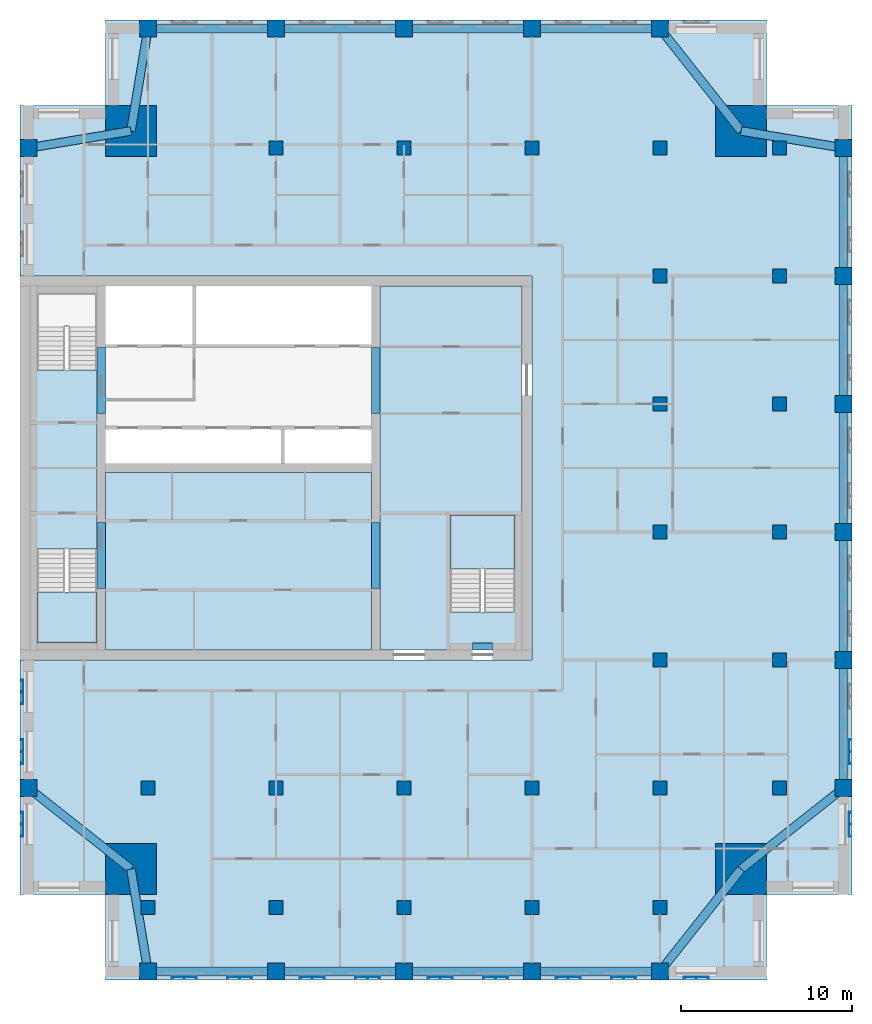
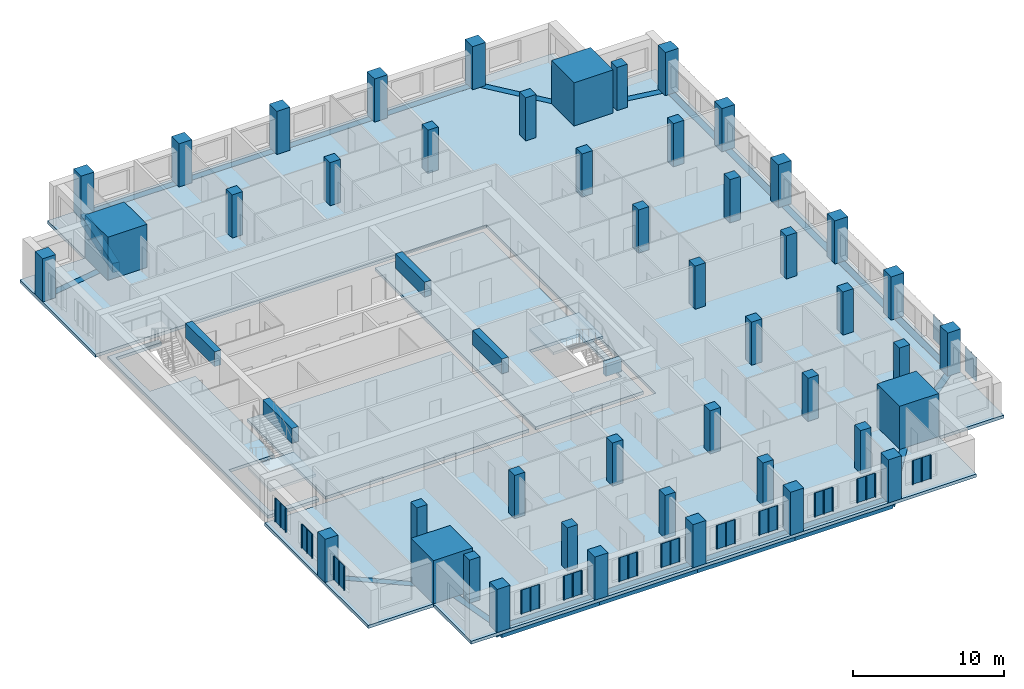
# One storey, part 1 of 11: 46 columns, 26 beams, 14 plates, 6 slabs, 2 elements without a shape of their own.
"""IFC4 building model written with IfcOpenShell, lengths in metres."""

from ifc_helpers import new_model, si_unit, direction, frame, origin, origin_2d, place, context, subcontext, project, spatial, polyline, rectangle, outline, extrude, material, layer, layer_set, material_profile, profile_set, type_object, element, aggregate, save


model = new_model("IFC4")

# Units and contexts
model_context = context("Model", 3, precision=1e-05, world=origin(), true_north=direction((0.0, 1.0)))
body_context = subcontext(model_context, "Body", "Model", "MODEL_VIEW")
ifc_project = project(units=[si_unit("LENGTHUNIT", "METRE"), si_unit("AREAUNIT", "SQUARE_METRE"), si_unit("VOLUMEUNIT", "CUBIC_METRE"), si_unit("PLANEANGLEUNIT", "RADIAN"), si_unit("MASSUNIT", "GRAM", prefix="KILO")], contexts=[model_context])

# Site, building, storey
site_placement = place(None, origin())
site = spatial("IfcSite", under=ifc_project, at=site_placement, CompositionType="ELEMENT")
building_placement = place(site_placement, origin())
building = spatial("IfcBuilding", under=site, at=building_placement, Name="Tamorin Gate", CompositionType="ELEMENT")
storey_placement = place(building_placement, frame((0.0, 0.0, 247.699951171875)))
storey = spatial("IfcBuildingStorey", under=building, at=storey_placement, Name="L62", CompositionType="ELEMENT", Elevation=247.699951171875)

# Columns
ifc_material_1 = material(Name="Concrete C50/60", Category="concrete")
ifc_material_profile_1 = material_profile(ifc_material_1, rectangle(XDim=1.0, YDim=1.0, at=origin_2d()), Name="RC 1000x1000")
ifc_profile_set_1 = profile_set([ifc_material_profile_1], Name="Concrete C50/60")
column_type_1 = type_object("IfcColumnType", Name="RC column 1000x1000 C50/60", PredefinedType="COLUMN", material=ifc_profile_set_1)
for number, where, z_axis, x_axis, name in (
    (1, (37.5, 41.75, 0.0), (0.0, 0.0, 1.0), (1.0, 0.0, 0.0), "Ring column L62"),
    (2, (45.0, 41.75, 0.0), (0.0, 0.0, 1.0), (1.0, 0.0, 0.0), "Ring column L62"),
    (3, (52.5, 41.75, 0.0), (0.0, 0.0, 1.0), (1.0, 0.0, 0.0), "Ring column L62"),
    (4, (60.0, 41.75, 0.0), (0.0, 0.0, 1.0), (1.0, 0.0, 0.0), "Ring column L62"),
    (5, (67.5, 41.75, 0.0), (0.0, 0.0, 1.0), (1.0, 0.0, 0.0), "Ring column L62"),
    (6, (78.25, 52.5, 0.0), (0.0, 0.0, 1.0), (1.0, 0.0, 0.0), "Ring column L62"),
    (7, (78.25, 60.0, 0.0), (0.0, 0.0, 1.0), (1.0, 0.0, 0.0), "Ring column L62"),
    (8, (78.25, 67.5, 0.0), (0.0, 0.0, 1.0), (1.0, 0.0, 0.0), "Ring column L62"),
    (9, (78.25, 75.0, 0.0), (0.0, 0.0, 1.0), (1.0, 0.0, 0.0), "Ring column L62"),
    (10, (78.25, 82.5, 0.0), (0.0, 0.0, 1.0), (1.0, 0.0, 0.0), "Ring column L62"),
    (11, (78.25, 90.0, 0.0), (0.0, 0.0, 1.0), (1.0, 0.0, 0.0), "Ring column L62"),
    (12, (30.5, 52.5, 0.0), (0.0, 0.0, 1.0), (1.0, 0.0, 0.0), "Ring column L62"),
    (13, (30.5, 90.0, 0.0), (0.0, 0.0, 1.0), (1.0, 0.0, 0.0), "Ring column L62"),
    (14, (37.5, 97.0, 0.0), (0.0, 0.0, 1.0), (1.0, 0.0, 0.0), "Ring column L62"),
    (15, (45.0, 97.0, 0.0), (0.0, 0.0, 1.0), (1.0, 0.0, 0.0), "Ring column L62"),
    (16, (52.5, 97.0, 0.0), (0.0, 0.0, 1.0), (1.0, 0.0, 0.0), "Ring column L62"),
    (17, (60.0, 97.0, 0.0), (0.0, 0.0, 1.0), (1.0, 0.0, 0.0), "Ring column L62"),
    (18, (67.5, 97.0, 0.0), (0.0, 0.0, 1.0), (1.0, 0.0, 0.0), "Ring column L62"),
):
    element("IfcColumn", number, at=place(storey_placement, frame(where, z_axis=z_axis, x_axis=x_axis)), inside=storey, type_object=column_type_1, Name=name, PredefinedType="COLUMN", context=body_context, shape_type="SweptSolid", body=[
        extrude(rectangle(XDim=1.0, YDim=1.0, at=origin_2d()), origin(), (0.0, 0.0, 1.0), 3.5),
    ])
ifc_material_profile_2 = material_profile(ifc_material_1, rectangle(XDim=3.0, YDim=3.0, at=origin_2d()), Name="RC 3000x3000")
ifc_profile_set_2 = profile_set([ifc_material_profile_2], Name="Concrete C50/60")
column_type_2 = type_object("IfcColumnType", Name="RC column 3000x3000 C50/60", PredefinedType="COLUMN", material=ifc_profile_set_2)
for number, where, z_axis, x_axis, name in (
    (19, (36.5, 47.75, 0.0), (0.0, 0.0, 1.0), (1.0, 0.0, 0.0), "Mega column SW L62"),
    (20, (72.25, 47.75, 0.0), (0.0, 0.0, 1.0), (1.0, 0.0, 0.0), "Mega column SE L62"),
    (21, (36.5, 91.0, 0.0), (0.0, 0.0, 1.0), (1.0, 0.0, 0.0), "Mega column NW L62"),
    (22, (72.25, 91.0, 0.0), (0.0, 0.0, 1.0), (1.0, 0.0, 0.0), "Mega column NE L62"),
):
    element("IfcColumn", number, at=place(storey_placement, frame(where, z_axis=z_axis, x_axis=x_axis)), inside=storey, type_object=column_type_2, Name=name, PredefinedType="COLUMN", context=body_context, shape_type="SweptSolid", body=[
        extrude(rectangle(XDim=3.0, YDim=3.0, at=origin_2d()), origin(), (0.0, 0.0, 1.0), 3.5),
    ])
ifc_material_profile_3 = material_profile(ifc_material_1, rectangle(XDim=0.800048828125, YDim=0.800048828125, at=origin_2d()), Name="RC 800x800")
ifc_profile_set_3 = profile_set([ifc_material_profile_3], Name="Concrete C50/60")
column_type_3 = type_object("IfcColumnType", Name="RC column 800x800 C50/60", PredefinedType="COLUMN", material=ifc_profile_set_3)
for number, where, z_axis, x_axis, name in (
    (23, (37.5, 45.5, 0.0), (0.0, 0.0, 1.0), (1.0, 0.0, 0.0), "Interior column L62"),
    (24, (37.5, 52.5, 0.0), (0.0, 0.0, 1.0), (1.0, 0.0, 0.0), "Interior column L62"),
    (25, (45.0, 45.5, 0.0), (0.0, 0.0, 1.0), (1.0, 0.0, 0.0), "Interior column L62"),
    (26, (45.0, 52.5, 0.0), (0.0, 0.0, 1.0), (1.0, 0.0, 0.0), "Interior column L62"),
    (27, (45.0, 90.0, 0.0), (0.0, 0.0, 1.0), (1.0, 0.0, 0.0), "Interior column L62"),
    (28, (52.5, 45.5, 0.0), (0.0, 0.0, 1.0), (1.0, 0.0, 0.0), "Interior column L62"),
    (29, (52.5, 52.5, 0.0), (0.0, 0.0, 1.0), (1.0, 0.0, 0.0), "Interior column L62"),
    (30, (52.5, 90.0, 0.0), (0.0, 0.0, 1.0), (1.0, 0.0, 0.0), "Interior column L62"),
    (31, (60.0, 45.5, 0.0), (0.0, 0.0, 1.0), (1.0, 0.0, 0.0), "Interior column L62"),
    (32, (60.0, 52.5, 0.0), (0.0, 0.0, 1.0), (1.0, 0.0, 0.0), "Interior column L62"),
    (33, (60.0, 90.0, 0.0), (0.0, 0.0, 1.0), (1.0, 0.0, 0.0), "Interior column L62"),
    (34, (67.5, 45.5, 0.0), (0.0, 0.0, 1.0), (1.0, 0.0, 0.0), "Interior column L62"),
    (35, (67.5, 52.5, 0.0), (0.0, 0.0, 1.0), (1.0, 0.0, 0.0), "Interior column L62"),
    (36, (67.5, 60.0, 0.0), (0.0, 0.0, 1.0), (1.0, 0.0, 0.0), "Interior column L62"),
    (37, (67.5, 67.5, 0.0), (0.0, 0.0, 1.0), (1.0, 0.0, 0.0), "Interior column L62"),
    (38, (67.5, 75.0, 0.0), (0.0, 0.0, 1.0), (1.0, 0.0, 0.0), "Interior column L62"),
    (39, (67.5, 82.5, 0.0), (0.0, 0.0, 1.0), (1.0, 0.0, 0.0), "Interior column L62"),
    (40, (67.5, 90.0, 0.0), (0.0, 0.0, 1.0), (1.0, 0.0, 0.0), "Interior column L62"),
    (41, (74.5, 52.5, 0.0), (0.0, 0.0, 1.0), (1.0, 0.0, 0.0), "Interior column L62"),
    (42, (74.5, 60.0, 0.0), (0.0, 0.0, 1.0), (1.0, 0.0, 0.0), "Interior column L62"),
    (43, (74.5, 67.5, 0.0), (0.0, 0.0, 1.0), (1.0, 0.0, 0.0), "Interior column L62"),
    (44, (74.5, 75.0, 0.0), (0.0, 0.0, 1.0), (1.0, 0.0, 0.0), "Interior column L62"),
    (45, (74.5, 82.5, 0.0), (0.0, 0.0, 1.0), (1.0, 0.0, 0.0), "Interior column L62"),
    (46, (74.5, 90.0, 0.0), (0.0, 0.0, 1.0), (1.0, 0.0, 0.0), "Interior column L62"),
):
    element("IfcColumn", number, at=place(storey_placement, frame(where, z_axis=z_axis, x_axis=x_axis)), inside=storey, type_object=column_type_3, Name=name, PredefinedType="COLUMN", context=body_context, shape_type="SweptSolid", body=[
        extrude(rectangle(XDim=0.800048828125, YDim=0.800048828125, at=origin_2d()), origin(), (0.0, 0.0, 1.0), 3.5),
    ])

# Beams
ifc_material_profile_4 = material_profile(ifc_material_1, rectangle(XDim=0.5, YDim=1.199951171875, at=origin_2d()), Name="RC 500x1200")
ifc_profile_set_4 = profile_set([ifc_material_profile_4], Name="Concrete C50/60")
beam_type_1 = type_object("IfcBeamType", Name="RC coupling beam 500x1200 C50/60", PredefinedType="BEAM", material=ifc_profile_set_4)
for number, where, z_axis, x_axis, name in (
    (47, (34.75, 64.199951171875, 2.900146484375), (0.0, 1.0, 0.0), (-1.0, 0.0, 0.0), "Coupling beam L62"),
    (48, (34.75, 74.449951171875, 2.900146484375), (0.0, 1.0, 0.0), (-1.0, 0.0, 0.0), "Coupling beam L62"),
    (49, (50.85009765625, 64.199951171875, 2.900146484375), (0.0, 1.0, 0.0), (-1.0, 0.0, 0.0), "Coupling beam L62"),
    (50, (50.85009765625, 74.449951171875, 2.900146484375), (0.0, 1.0, 0.0), (-1.0, 0.0, 0.0), "Coupling beam L62"),
):
    element("IfcBeam", number, at=place(storey_placement, frame(where, z_axis=z_axis, x_axis=x_axis)), inside=storey, type_object=beam_type_1, Name=name, PredefinedType="BEAM", context=body_context, shape_type="SweptSolid", body=[
        extrude(rectangle(XDim=0.5, YDim=1.199951171875, at=origin_2d()), origin(), (0.0, 0.0, 1.0), 3.85009765625),
    ])
ifc_material_profile_5 = material_profile(ifc_material_1, rectangle(XDim=0.5, YDim=0.75, at=origin_2d()), Name="RC 500x750")
ifc_profile_set_5 = profile_set([ifc_material_profile_5], Name="Concrete C50/60")
beam_type_2 = type_object("IfcBeamType", Name="RC spandrel 500x750 C50/60", PredefinedType="BEAM", material=ifc_profile_set_5)
for number, where, z_axis, x_axis, name in (
    (51, (37.5, 41.75, -0.375), (1.0, 0.0, 0.0), (0.0, 1.0, 0.0), "Spandrel beam L62"),
    (52, (45.0, 41.75, -0.375), (1.0, 0.0, 0.0), (0.0, 1.0, 0.0), "Spandrel beam L62"),
    (53, (52.5, 41.75, -0.375), (1.0, 0.0, 0.0), (0.0, 1.0, 0.0), "Spandrel beam L62"),
    (54, (60.0, 41.75, -0.375), (1.0, 0.0, 0.0), (0.0, 1.0, 0.0), "Spandrel beam L62"),
    (55, (78.25, 52.5, -0.375), (0.0, 1.0, 0.0), (-1.0, 0.0, 0.0), "Spandrel beam L62"),
    (56, (78.25, 60.0, -0.375), (0.0, 1.0, 0.0), (-1.0, 0.0, 0.0), "Spandrel beam L62"),
    (57, (78.25, 67.5, -0.375), (0.0, 1.0, 0.0), (-1.0, 0.0, 0.0), "Spandrel beam L62"),
    (58, (78.25, 75.0, -0.375), (0.0, 1.0, 0.0), (-1.0, 0.0, 0.0), "Spandrel beam L62"),
    (59, (78.25, 82.5, -0.375), (0.0, 1.0, 0.0), (-1.0, 0.0, 0.0), "Spandrel beam L62"),
    (60, (67.5, 97.0, -0.375), (-1.0, 0.0, 0.0), (0.0, -1.0, 0.0), "Spandrel beam L62"),
    (61, (60.0, 97.0, -0.375), (-1.0, 0.0, 0.0), (0.0, -1.0, 0.0), "Spandrel beam L62"),
    (62, (52.5, 97.0, -0.375), (-1.0, 0.0, 0.0), (0.0, -1.0, 0.0), "Spandrel beam L62"),
    (63, (45.0, 97.0, -0.375), (-1.0, 0.0, 0.0), (0.0, -1.0, 0.0), "Spandrel beam L62"),
):
    element("IfcBeam", number, at=place(storey_placement, frame(where, z_axis=z_axis, x_axis=x_axis)), inside=storey, type_object=beam_type_2, Name=name, PredefinedType="BEAM", context=body_context, shape_type="SweptSolid", body=[
        extrude(rectangle(XDim=0.5, YDim=0.75, at=origin_2d()), origin(), (0.0, 0.0, 1.0), 7.5),
    ])
beam_1_placement = place(storey_placement, frame((36.5, 47.75, -0.375), z_axis=(0.164398987305, -0.986393923832, 0.0), x_axis=(0.986393923832, 0.164398987305, 0.0)))
element("IfcBeam", 64, at=beam_1_placement, inside=storey, type_object=beam_type_2, Name="Corner tie beam L62", PredefinedType="BEAM", context=body_context, shape_type="SweptSolid", body=[
    extrude(rectangle(XDim=0.5, YDim=0.75, at=origin_2d()), origin(), (0.0, 0.0, 1.0), 6.082763671875),
])
for number, where, z_axis, x_axis, name in (
    (65, (36.5, 47.75, -0.375), (-0.784045824462, 0.620702944366, 0.0), (-0.620702944366, -0.784045824462, 0.0), "Corner tie beam L62"),
    (66, (72.25, 47.75, -0.375), (-0.620702944366, -0.784045824462, 0.0), (0.784045824462, -0.620702944366, 0.0), "Corner tie beam L62"),
    (67, (72.25, 47.75, -0.375), (0.784045824462, 0.620702944366, 0.0), (-0.620702944366, 0.784045824462, 0.0), "Corner tie beam L62"),
):
    element("IfcBeam", number, at=place(storey_placement, frame(where, z_axis=z_axis, x_axis=x_axis)), inside=storey, type_object=beam_type_2, Name=name, PredefinedType="BEAM", context=body_context, shape_type="SweptSolid", body=[
        extrude(rectangle(XDim=0.5, YDim=0.75, at=origin_2d()), origin(), (0.0, 0.0, 1.0), 7.652587890625),
    ])
for number, where, z_axis, x_axis, name in (
    (68, (36.5, 91.0, -0.375), (-0.986393923832, -0.164398987305, 0.0), (0.164398987305, -0.986393923832, 0.0), "Corner tie beam L62"),
    (69, (36.5, 91.0, -0.375), (0.164398987305, 0.986393923832, 0.0), (-0.986393923832, 0.164398987305, 0.0), "Corner tie beam L62"),
    (70, (72.25, 91.0, -0.375), (0.986393923832, -0.164398987305, 0.0), (0.164398987305, 0.986393923832, 0.0), "Corner tie beam L62"),
):
    element("IfcBeam", number, at=place(storey_placement, frame(where, z_axis=z_axis, x_axis=x_axis)), inside=storey, type_object=beam_type_2, Name=name, PredefinedType="BEAM", context=body_context, shape_type="SweptSolid", body=[
        extrude(rectangle(XDim=0.5, YDim=0.75, at=origin_2d()), origin(), (0.0, 0.0, 1.0), 6.082763671875),
    ])
beam_2_placement = place(storey_placement, frame((72.25, 91.0, -0.375), z_axis=(-0.620702944366, 0.784045824462, 0.0), x_axis=(-0.784045824462, -0.620702944366, 0.0)))
element("IfcBeam", 71, at=beam_2_placement, inside=storey, type_object=beam_type_2, Name="Corner tie beam L62", PredefinedType="BEAM", context=body_context, shape_type="SweptSolid", body=[
    extrude(rectangle(XDim=0.5, YDim=0.75, at=origin_2d()), origin(), (0.0, 0.0, 1.0), 7.652587890625),
])
ifc_material_profile_6 = material_profile(ifc_material_1, rectangle(XDim=0.39990234375, YDim=1.0, at=origin_2d()))
ifc_profile_set_6 = profile_set([ifc_material_profile_6], Name="Concrete C50/60")
beam_type_3 = type_object("IfcBeamType", Name="Stair lintel 400x1000 C50/60", PredefinedType="BEAM", material=ifc_profile_set_6)
beam_3_placement = place(storey_placement, frame((56.5, 60.800048828125, 2.699951171875), z_axis=(1.0, 0.0, 0.0), x_axis=(0.0, 1.0, 0.0)))
element("IfcBeam", 72, at=beam_3_placement, inside=storey, type_object=beam_type_3, Name="Stair lintel", PredefinedType="BEAM", context=body_context, shape_type="SweptSolid", body=[
    extrude(rectangle(XDim=0.39990234375, YDim=1.0, at=origin_2d()), origin(), (0.0, 0.0, 1.0), 1.199951171875),
])

# Slabs
ifc_material_2 = material(Name="Concrete C40/50", Category="concrete")
ifc_layer_1 = layer(ifc_material_2, 0.25)
ifc_layer_set_1 = layer_set([ifc_layer_1], Name="Core floor slab 250 C40/50")
slab_type_1 = type_object("IfcSlabType", Name="Core floor slab 250 C40/50", PredefinedType="FLOOR", material=ifc_layer_set_1)
slab_1_placement = place(storey_placement, frame((0.0, 0.0, -0.25)))
element("IfcSlab", 73, at=slab_1_placement, inside=storey, type_object=slab_type_1, Name="Core floor L62", PredefinedType="FLOOR", context=body_context, shape_type="SweptSolid", body=[
    extrude(outline(polyline([(51.10009765625, 81.89990234375), (59.39990234375, 81.89990234375), (59.39990234375, 60.60009765625), (51.10009765625, 60.60009765625), (51.10009765625, 81.89990234375)]), holes=[polyline([(55.199951171875, 62.800048828125), (59.0, 62.800048828125), (59.0, 68.5), (55.199951171875, 68.5), (55.199951171875, 62.800048828125)])]), origin(), (0.0, 0.0, 1.0), 0.25),
])
slab_2_placement = place(storey_placement, frame((0.0, 0.0, -0.25)))
element("IfcSlab", 74, at=slab_2_placement, inside=storey, type_object=slab_type_1, Name="Core floor L62", PredefinedType="FLOOR", context=body_context, shape_type="SweptSolid", body=[
    extrude(outline(polyline([(50.60009765625, 71.0), (50.60009765625, 60.60009765625), (35.0, 60.60009765625), (35.0, 71.0), (50.60009765625, 71.0)])), origin(), (0.0, 0.0, 1.0), 0.25),
])
slab_3_placement = place(storey_placement, frame((0.0, 0.0, -0.25)))
element("IfcSlab", 75, at=slab_3_placement, inside=storey, type_object=slab_type_1, Name="Core floor L62", PredefinedType="FLOOR", context=body_context, shape_type="SweptSolid", body=[
    extrude(outline(polyline([(34.5, 60.60009765625), (30.60009765625, 60.60009765625), (30.60009765625, 81.89990234375), (34.5, 81.89990234375), (34.5, 81.5), (31.0, 81.5), (31.0, 77.0), (34.5, 77.0), (34.5, 66.5), (31.0, 66.5), (31.0, 61.0), (34.5, 61.0), (34.5, 60.60009765625)])), origin(), (0.0, 0.0, 1.0), 0.25),
])

# Stair, slab
stair_type = type_object("IfcStairType", Name="Exit stair", PredefinedType="HALF_TURN_STAIR", material=ifc_material_2)
stair_1_placement = place(storey_placement, origin())
stair_1 = element("IfcStair", 76, at=stair_1_placement, inside=storey, type_object=stair_type, Name="L62 stair ST1", PredefinedType="HALF_TURN_STAIR")
ifc_layer_2 = layer(ifc_material_2, 0.199951171875)
ifc_layer_set_2 = layer_set([ifc_layer_2], Name="Exit stair landing 200")
slab_type_2 = type_object("IfcSlabType", Name="Exit stair landing 200", PredefinedType="LANDING", material=ifc_layer_set_2)
slab_4_placement = place(storey_placement, frame((0.0, 0.0, 1.550048828125)))
slab_4 = element("IfcSlab", 77, at=slab_4_placement, type_object=slab_type_2, Name="ST1 landing 1", PredefinedType="LANDING", context=body_context, shape_type="SweptSolid", body=[
    extrude(outline(polyline([(31.0, 63.97998046875), (31.0, 61.0), (34.5, 61.0), (34.5, 63.97998046875), (31.0, 63.97998046875)])), origin(), (0.0, 0.0, 1.0), 0.199951171875),
])
aggregate(stair_1, [slab_4])

stair_2_placement = place(storey_placement, origin())
stair_2 = element("IfcStair", 78, at=stair_2_placement, inside=storey, type_object=stair_type, Name="L62 stair ST3", PredefinedType="HALF_TURN_STAIR")
slab_5_placement = place(storey_placement, frame((0.0, 0.0, 1.550048828125)))
slab_5 = element("IfcSlab", 79, at=slab_5_placement, type_object=slab_type_2, Name="ST3 landing 1", PredefinedType="LANDING", context=body_context, shape_type="SweptSolid", body=[
    extrude(outline(polyline([(59.0, 65.320068359375), (59.0, 68.5), (55.199951171875, 68.5), (55.199951171875, 65.320068359375), (59.0, 65.320068359375)])), origin(), (0.0, 0.0, 1.0), 0.199951171875),
])
aggregate(stair_2, [slab_5])

# Slab
ifc_layer_3 = layer(ifc_material_2, 0.25)
ifc_layer_set_3 = layer_set([ifc_layer_3], Name="Floor slab 250 C40/50")
slab_type_3 = type_object("IfcSlabType", Name="Floor slab 250 C40/50", PredefinedType="FLOOR", material=ifc_layer_set_3)
slab_6_placement = place(storey_placement, frame((0.0, 0.0, -0.25)))
element("IfcSlab", 80, at=slab_6_placement, inside=storey, type_object=slab_type_3, Name="Floor L62", PredefinedType="FLOOR", context=body_context, shape_type="SweptSolid", body=[
    extrude(outline(polyline([(30.0, 92.5), (35.0, 92.5), (35.0, 97.5), (73.75, 97.5), (73.75, 92.5), (78.75, 92.5), (78.75, 46.25), (73.75, 46.25), (73.75, 41.25), (35.0, 41.25), (35.0, 46.25), (30.0, 46.25), (30.0, 60.0), (60.0, 60.0), (60.0, 82.5), (30.0, 82.5), (30.0, 92.5)])), origin(), (0.0, 0.0, 1.0), 0.25),
])

# Plates
ifc_material_3 = material(Name="Perforated pale aluminium sheet", Category="aluminium")
ifc_layer_4 = layer(ifc_material_3, 0.0400390625)
ifc_layer_set_4 = layer_set([ifc_layer_4], Name="Pale metal solar screen 1440")
plate_type = type_object("IfcPlateType", Name="Pale metal solar screen 1440", PredefinedType="SHEET", material=ifc_layer_set_4)
plate_1_placement = place(storey_placement, frame((0.0, 0.0, 0.737548828125)))
element("IfcPlate", 81, at=plate_1_placement, inside=storey, type_object=plate_type, Name="Perforated solar screen", PredefinedType="SHEET", context=body_context, shape_type="SweptSolid", body=[
    extrude(outline(polyline([(38.905029296875, 41.409912109375), (38.905029296875, 41.449951171875), (38.965087890625, 41.449951171875), (39.594970703125, 41.449951171875), (39.655029296875, 41.449951171875), (40.284912109375, 41.449951171875), (40.344970703125, 41.449951171875), (40.344970703125, 41.449951171875), (40.344970703125, 41.409912109375), (40.344970703125, 41.409912109375), (40.344970703125, 41.35009765625), (40.284912109375, 41.35009765625), (40.284912109375, 41.409912109375), (39.655029296875, 41.409912109375), (39.655029296875, 41.35009765625), (39.594970703125, 41.35009765625), (39.594970703125, 41.409912109375), (38.965087890625, 41.409912109375), (38.965087890625, 41.35009765625), (38.905029296875, 41.35009765625), (38.905029296875, 41.409912109375)])), origin(), (0.0, 0.0, 1.0), 1.925048828125),
])
plate_2_placement = place(storey_placement, frame((0.0, 0.0, 0.737548828125)))
element("IfcPlate", 82, at=plate_2_placement, inside=storey, type_object=plate_type, Name="Perforated solar screen", PredefinedType="SHEET", context=body_context, shape_type="SweptSolid", body=[
    extrude(outline(polyline([(42.155029296875, 41.409912109375), (42.155029296875, 41.449951171875), (42.215087890625, 41.449951171875), (42.844970703125, 41.449951171875), (42.905029296875, 41.449951171875), (43.534912109375, 41.449951171875), (43.594970703125, 41.449951171875), (43.594970703125, 41.409912109375), (43.594970703125, 41.35009765625), (43.534912109375, 41.35009765625), (43.534912109375, 41.409912109375), (42.905029296875, 41.409912109375), (42.905029296875, 41.35009765625), (42.844970703125, 41.35009765625), (42.844970703125, 41.409912109375), (42.215087890625, 41.409912109375), (42.215087890625, 41.35009765625), (42.155029296875, 41.35009765625), (42.155029296875, 41.409912109375)])), origin(), (0.0, 0.0, 1.0), 1.925048828125),
])
plate_3_placement = place(storey_placement, frame((0.0, 0.0, 0.737548828125)))
element("IfcPlate", 83, at=plate_3_placement, inside=storey, type_object=plate_type, Name="Perforated solar screen", PredefinedType="SHEET", context=body_context, shape_type="SweptSolid", body=[
    extrude(outline(polyline([(46.405029296875, 41.409912109375), (46.405029296875, 41.449951171875), (46.465087890625, 41.449951171875), (47.094970703125, 41.449951171875), (47.155029296875, 41.449951171875), (47.784912109375, 41.449951171875), (47.844970703125, 41.449951171875), (47.844970703125, 41.409912109375), (47.844970703125, 41.35009765625), (47.784912109375, 41.35009765625), (47.784912109375, 41.409912109375), (47.155029296875, 41.409912109375), (47.155029296875, 41.35009765625), (47.094970703125, 41.35009765625), (47.094970703125, 41.409912109375), (46.465087890625, 41.409912109375), (46.465087890625, 41.35009765625), (46.405029296875, 41.35009765625), (46.405029296875, 41.409912109375)])), origin(), (0.0, 0.0, 1.0), 1.925048828125),
])
plate_4_placement = place(storey_placement, frame((0.0, 0.0, 0.737548828125)))
element("IfcPlate", 84, at=plate_4_placement, inside=storey, type_object=plate_type, Name="Perforated solar screen", PredefinedType="SHEET", context=body_context, shape_type="SweptSolid", body=[
    extrude(outline(polyline([(49.655029296875, 41.409912109375), (49.655029296875, 41.449951171875), (49.715087890625, 41.449951171875), (50.344970703125, 41.449951171875), (50.405029296875, 41.449951171875), (51.034912109375, 41.449951171875), (51.094970703125, 41.449951171875), (51.094970703125, 41.409912109375), (51.094970703125, 41.35009765625), (51.034912109375, 41.35009765625), (51.034912109375, 41.409912109375), (50.405029296875, 41.409912109375), (50.405029296875, 41.35009765625), (50.344970703125, 41.35009765625), (50.344970703125, 41.409912109375), (49.715087890625, 41.409912109375), (49.715087890625, 41.35009765625), (49.655029296875, 41.35009765625), (49.655029296875, 41.409912109375)])), origin(), (0.0, 0.0, 1.0), 1.925048828125),
])
plate_5_placement = place(storey_placement, frame((0.0, 0.0, 0.737548828125)))
element("IfcPlate", 85, at=plate_5_placement, inside=storey, type_object=plate_type, Name="Perforated solar screen", PredefinedType="SHEET", context=body_context, shape_type="SweptSolid", body=[
    extrude(outline(polyline([(53.905029296875, 41.409912109375), (53.905029296875, 41.449951171875), (53.965087890625, 41.449951171875), (54.594970703125, 41.449951171875), (54.655029296875, 41.449951171875), (55.284912109375, 41.449951171875), (55.344970703125, 41.449951171875), (55.344970703125, 41.409912109375), (55.344970703125, 41.35009765625), (55.284912109375, 41.35009765625), (55.284912109375, 41.409912109375), (54.655029296875, 41.409912109375), (54.655029296875, 41.35009765625), (54.594970703125, 41.35009765625), (54.594970703125, 41.409912109375), (53.965087890625, 41.409912109375), (53.965087890625, 41.35009765625), (53.905029296875, 41.35009765625), (53.905029296875, 41.409912109375)])), origin(), (0.0, 0.0, 1.0), 1.925048828125),
])
plate_6_placement = place(storey_placement, frame((0.0, 0.0, 0.737548828125)))
element("IfcPlate", 86, at=plate_6_placement, inside=storey, type_object=plate_type, Name="Perforated solar screen", PredefinedType="SHEET", context=body_context, shape_type="SweptSolid", body=[
    extrude(outline(polyline([(57.155029296875, 41.409912109375), (57.155029296875, 41.449951171875), (57.215087890625, 41.449951171875), (57.844970703125, 41.449951171875), (57.905029296875, 41.449951171875), (58.534912109375, 41.449951171875), (58.594970703125, 41.449951171875), (58.594970703125, 41.409912109375), (58.594970703125, 41.35009765625), (58.534912109375, 41.35009765625), (58.534912109375, 41.409912109375), (57.905029296875, 41.409912109375), (57.905029296875, 41.35009765625), (57.844970703125, 41.35009765625), (57.844970703125, 41.409912109375), (57.215087890625, 41.409912109375), (57.215087890625, 41.35009765625), (57.155029296875, 41.35009765625), (57.155029296875, 41.409912109375)])), origin(), (0.0, 0.0, 1.0), 1.925048828125),
])
plate_7_placement = place(storey_placement, frame((0.0, 0.0, 0.737548828125)))
element("IfcPlate", 87, at=plate_7_placement, inside=storey, type_object=plate_type, Name="Perforated solar screen", PredefinedType="SHEET", context=body_context, shape_type="SweptSolid", body=[
    extrude(outline(polyline([(61.405029296875, 41.409912109375), (61.405029296875, 41.449951171875), (61.465087890625, 41.449951171875), (62.094970703125, 41.449951171875), (62.155029296875, 41.449951171875), (62.784912109375, 41.449951171875), (62.844970703125, 41.449951171875), (62.844970703125, 41.409912109375), (62.844970703125, 41.35009765625), (62.784912109375, 41.35009765625), (62.784912109375, 41.409912109375), (62.155029296875, 41.409912109375), (62.155029296875, 41.35009765625), (62.094970703125, 41.35009765625), (62.094970703125, 41.409912109375), (61.465087890625, 41.409912109375), (61.465087890625, 41.35009765625), (61.405029296875, 41.35009765625), (61.405029296875, 41.409912109375)])), origin(), (0.0, 0.0, 1.0), 1.925048828125),
])
plate_8_placement = place(storey_placement, frame((0.0, 0.0, 0.737548828125)))
element("IfcPlate", 88, at=plate_8_placement, inside=storey, type_object=plate_type, Name="Perforated solar screen", PredefinedType="SHEET", context=body_context, shape_type="SweptSolid", body=[
    extrude(outline(polyline([(64.655029296875, 41.409912109375), (64.655029296875, 41.449951171875), (64.715087890625, 41.449951171875), (65.344970703125, 41.449951171875), (65.405029296875, 41.449951171875), (66.034912109375, 41.449951171875), (66.094970703125, 41.449951171875), (66.094970703125, 41.409912109375), (66.094970703125, 41.35009765625), (66.034912109375, 41.35009765625), (66.034912109375, 41.409912109375), (65.405029296875, 41.409912109375), (65.405029296875, 41.35009765625), (65.344970703125, 41.35009765625), (65.344970703125, 41.409912109375), (64.715087890625, 41.409912109375), (64.715087890625, 41.35009765625), (64.655029296875, 41.35009765625), (64.655029296875, 41.409912109375)])), origin(), (0.0, 0.0, 1.0), 1.925048828125),
])
plate_9_placement = place(storey_placement, frame((0.0, 0.0, 0.737548828125)))
element("IfcPlate", 89, at=plate_9_placement, inside=storey, type_object=plate_type, Name="Perforated solar screen", PredefinedType="SHEET", context=body_context, shape_type="SweptSolid", body=[
    extrude(outline(polyline([(68.905029296875, 41.409912109375), (68.905029296875, 41.449951171875), (68.965087890625, 41.449951171875), (69.594970703125, 41.449951171875), (69.655029296875, 41.449951171875), (70.284912109375, 41.449951171875), (70.344970703125, 41.449951171875), (70.344970703125, 41.409912109375), (70.344970703125, 41.35009765625), (70.284912109375, 41.35009765625), (70.284912109375, 41.409912109375), (69.655029296875, 41.409912109375), (69.655029296875, 41.35009765625), (69.594970703125, 41.35009765625), (69.594970703125, 41.409912109375), (68.965087890625, 41.409912109375), (68.965087890625, 41.35009765625), (68.905029296875, 41.35009765625), (68.905029296875, 41.409912109375)])), origin(), (0.0, 0.0, 1.0), 1.925048828125),
])
plate_10_placement = place(storey_placement, frame((0.0, 0.0, 0.737548828125)))
element("IfcPlate", 90, at=plate_10_placement, inside=storey, type_object=plate_type, Name="Perforated solar screen", PredefinedType="SHEET", context=body_context, shape_type="SweptSolid", body=[
    extrude(outline(polyline([(78.590087890625, 49.655029296875), (78.550048828125, 49.655029296875), (78.550048828125, 49.715087890625), (78.550048828125, 50.344970703125), (78.550048828125, 50.405029296875), (78.550048828125, 51.034912109375), (78.550048828125, 51.094970703125), (78.550048828125, 51.094970703125), (78.590087890625, 51.094970703125), (78.590087890625, 51.094970703125), (78.64990234375, 51.094970703125), (78.64990234375, 51.034912109375), (78.590087890625, 51.034912109375), (78.590087890625, 50.405029296875), (78.64990234375, 50.405029296875), (78.64990234375, 50.344970703125), (78.590087890625, 50.344970703125), (78.590087890625, 49.715087890625), (78.64990234375, 49.715087890625), (78.64990234375, 49.655029296875), (78.590087890625, 49.655029296875)])), origin(), (0.0, 0.0, 1.0), 1.925048828125),
])
plate_11_placement = place(storey_placement, frame((0.0, 0.0, 0.737548828125)))
element("IfcPlate", 91, at=plate_11_placement, inside=storey, type_object=plate_type, Name="Perforated solar screen", PredefinedType="SHEET", context=body_context, shape_type="SweptSolid", body=[
    extrude(outline(polyline([(78.590087890625, 53.905029296875), (78.550048828125, 53.905029296875), (78.550048828125, 53.965087890625), (78.550048828125, 54.594970703125), (78.550048828125, 54.655029296875), (78.550048828125, 55.284912109375), (78.550048828125, 55.344970703125), (78.590087890625, 55.344970703125), (78.64990234375, 55.344970703125), (78.64990234375, 55.284912109375), (78.590087890625, 55.284912109375), (78.590087890625, 54.655029296875), (78.64990234375, 54.655029296875), (78.64990234375, 54.594970703125), (78.590087890625, 54.594970703125), (78.590087890625, 53.965087890625), (78.64990234375, 53.965087890625), (78.64990234375, 53.905029296875), (78.590087890625, 53.905029296875)])), origin(), (0.0, 0.0, 1.0), 1.925048828125),
])
plate_12_placement = place(storey_placement, frame((0.0, 0.0, 0.737548828125)))
element("IfcPlate", 92, at=plate_12_placement, inside=storey, type_object=plate_type, Name="Perforated solar screen", PredefinedType="SHEET", context=body_context, shape_type="SweptSolid", body=[
    extrude(outline(polyline([(30.159912109375, 55.344970703125), (30.199951171875, 55.344970703125), (30.199951171875, 55.284912109375), (30.199951171875, 54.655029296875), (30.199951171875, 54.594970703125), (30.199951171875, 53.965087890625), (30.199951171875, 53.905029296875), (30.159912109375, 53.905029296875), (30.10009765625, 53.905029296875), (30.10009765625, 53.965087890625), (30.159912109375, 53.965087890625), (30.159912109375, 54.594970703125), (30.10009765625, 54.594970703125), (30.10009765625, 54.655029296875), (30.159912109375, 54.655029296875), (30.159912109375, 55.284912109375), (30.10009765625, 55.284912109375), (30.10009765625, 55.344970703125), (30.159912109375, 55.344970703125)])), origin(), (0.0, 0.0, 1.0), 1.925048828125),
])
plate_13_placement = place(storey_placement, frame((0.0, 0.0, 0.737548828125)))
element("IfcPlate", 93, at=plate_13_placement, inside=storey, type_object=plate_type, Name="Perforated solar screen", PredefinedType="SHEET", context=body_context, shape_type="SweptSolid", body=[
    extrude(outline(polyline([(30.159912109375, 58.844970703125), (30.199951171875, 58.844970703125), (30.199951171875, 58.784912109375), (30.199951171875, 58.155029296875), (30.199951171875, 58.094970703125), (30.199951171875, 57.465087890625), (30.199951171875, 57.405029296875), (30.159912109375, 57.405029296875), (30.10009765625, 57.405029296875), (30.10009765625, 57.465087890625), (30.159912109375, 57.465087890625), (30.159912109375, 58.094970703125), (30.10009765625, 58.094970703125), (30.10009765625, 58.155029296875), (30.159912109375, 58.155029296875), (30.159912109375, 58.784912109375), (30.10009765625, 58.784912109375), (30.10009765625, 58.844970703125), (30.159912109375, 58.844970703125)])), origin(), (0.0, 0.0, 1.0), 1.925048828125),
])
plate_14_placement = place(storey_placement, frame((0.0, 0.0, 0.737548828125)))
element("IfcPlate", 94, at=plate_14_placement, inside=storey, type_object=plate_type, Name="Perforated solar screen", PredefinedType="SHEET", context=body_context, shape_type="SweptSolid", body=[
    extrude(outline(polyline([(30.159912109375, 51.094970703125), (30.199951171875, 51.094970703125), (30.199951171875, 51.034912109375), (30.199951171875, 50.405029296875), (30.199951171875, 50.344970703125), (30.199951171875, 49.715087890625), (30.199951171875, 49.655029296875), (30.159912109375, 49.655029296875), (30.10009765625, 49.655029296875), (30.10009765625, 49.715087890625), (30.159912109375, 49.715087890625), (30.159912109375, 50.344970703125), (30.10009765625, 50.344970703125), (30.10009765625, 50.405029296875), (30.159912109375, 50.405029296875), (30.159912109375, 51.034912109375), (30.10009765625, 51.034912109375), (30.10009765625, 51.094970703125), (30.159912109375, 51.094970703125)])), origin(), (0.0, 0.0, 1.0), 1.925048828125),
])

save(model, "model.ifc")
